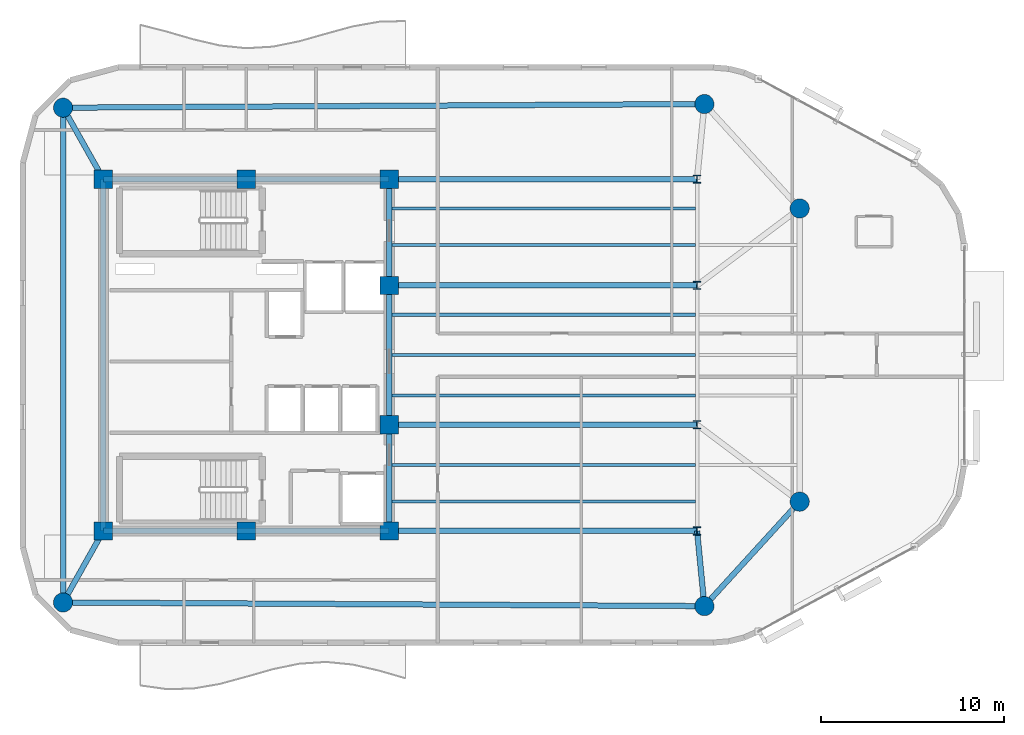
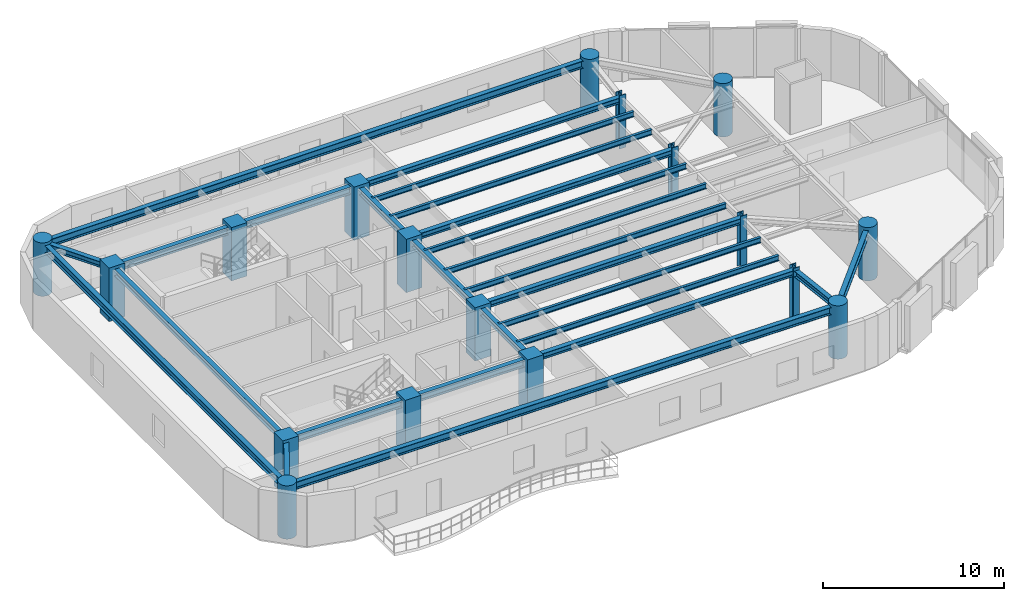
# One storey, part 1 of 13: 24 beams, 18 columns.
"""IFC4 building model written with IfcOpenShell, lengths in metres."""

from ifc_helpers import new_model, si_unit, direction, frame, origin, origin_2d, place, context, subcontext, project, spatial, rectangle, circle, i_section, extrude, material, material_profile, profile_set, type_object, element, save


model = new_model("IFC4")

# Units and contexts
model_context = context("Model", 3, precision=1e-05, world=origin(), true_north=direction((0.0, 1.0)))
body_context = subcontext(model_context, "Body", "Model", "MODEL_VIEW")
ifc_project = project(units=[si_unit("LENGTHUNIT", "METRE"), si_unit("AREAUNIT", "SQUARE_METRE"), si_unit("VOLUMEUNIT", "CUBIC_METRE"), si_unit("PLANEANGLEUNIT", "RADIAN"), si_unit("MASSUNIT", "GRAM", prefix="KILO")], contexts=[model_context])

# Site, building, storey
site_placement = place(None, origin())
site = spatial("IfcSite", under=ifc_project, at=site_placement, CompositionType="ELEMENT")
building_placement = place(site_placement, origin())
building = spatial("IfcBuilding", under=site, at=building_placement, Name="An Khanh Terracotta Commons", CompositionType="ELEMENT")
storey_placement = place(building_placement, frame((0.0, 0.0, 212.10009765625)))
storey = spatial("IfcBuildingStorey", under=building, at=storey_placement, Name="L55", CompositionType="ELEMENT", Elevation=212.10009765625)

# Columns
ifc_material_1 = material(Name="Concrete C60/75", Category="concrete")
ifc_material_profile_1 = material_profile(ifc_material_1, circle(Radius=0.52490234375, at=origin_2d()), Name="CFST1050")
ifc_profile_set_1 = profile_set([ifc_material_profile_1], Name="Concrete C60/75")
column_type_1 = type_object("IfcColumnType", Name="COL-CFST1050", PredefinedType="COLUMN", material=ifc_profile_set_1)
for number, where, z_axis, x_axis, name in (
    (1, (19.39990234375, 10.5, 0.0), (0.0, 0.0, 1.0), (1.0, 0.0, 0.0), "L55 Perimeter CFST Mega-Column MC-01"),
    (2, (54.39990234375, 10.300048828125, 0.0), (0.0, 0.0, 1.0), (1.0, 0.0, 0.0), "L55 Perimeter CFST Mega-Column MC-02"),
    (3, (59.60009765625, 16.0, 0.0), (0.0, 0.0, 1.0), (1.0, 0.0, 0.0), "L55 Perimeter CFST Mega-Column MC-03"),
    (4, (59.60009765625, 32.0, 0.0), (0.0, 0.0, 1.0), (1.0, 0.0, 0.0), "L55 Perimeter CFST Mega-Column MC-04"),
    (5, (54.39990234375, 37.699951171875, 0.0), (0.0, 0.0, 1.0), (1.0, 0.0, 0.0), "L55 Perimeter CFST Mega-Column MC-05"),
    (6, (19.39990234375, 37.5, 0.0), (0.0, 0.0, 1.0), (1.0, 0.0, 0.0), "L55 Perimeter CFST Mega-Column MC-06"),
):
    element("IfcColumn", number, at=place(storey_placement, frame(where, z_axis=z_axis, x_axis=x_axis)), inside=storey, type_object=column_type_1, Name=name, PredefinedType="COLUMN", context=body_context, shape_type="SweptSolid", body=[
        extrude(circle(Radius=0.52490234375, at=origin_2d()), origin(), (0.0, 0.0, 1.0), 3.599853515625),
    ])
ifc_material_2 = material(Name="Steel S460ML", Category="steel")
ifc_material_profile_2 = material_profile(ifc_material_2, i_section(OverallWidth=0.406005859375, OverallDepth=0.43994140625, WebThickness=0.02392578125, FlangeThickness=0.0390625, FilletRadius=0.014892578125, at=origin_2d()), Name="HD400x314")
ifc_profile_set_2 = profile_set([ifc_material_profile_2], Name="Steel S460ML")
column_type_2 = type_object("IfcColumnType", Name="COL-HD400x314", PredefinedType="COLUMN", material=ifc_profile_set_2)
for number, where, z_axis, x_axis, name in (
    (7, (54.0, 14.39990234375, 0.0), (0.0, 0.0, 1.0), (1.0, 0.0, 0.0), "L55 Interior Frame Column TC-01"),
    (8, (54.0, 20.199951171875, 0.0), (0.0, 0.0, 1.0), (1.0, 0.0, 0.0), "L55 Interior Frame Column TC-02"),
    (9, (54.0, 27.800048828125, 0.0), (0.0, 0.0, 1.0), (1.0, 0.0, 0.0), "L55 Interior Frame Column TC-03"),
    (10, (54.0, 33.60009765625, 0.0), (0.0, 0.0, 1.0), (1.0, 0.0, 0.0), "L55 Interior Frame Column TC-04"),
):
    element("IfcColumn", number, at=place(storey_placement, frame(where, z_axis=z_axis, x_axis=x_axis)), inside=storey, type_object=column_type_2, Name=name, PredefinedType="COLUMN", context=body_context, shape_type="SweptSolid", body=[
        extrude(i_section(OverallWidth=0.406005859375, OverallDepth=0.43994140625, WebThickness=0.02392578125, FlangeThickness=0.0390625, FilletRadius=0.014892578125, at=origin_2d()), origin(), (0.0, 0.0, 1.0), 3.599853515625),
    ])
ifc_material_profile_3 = material_profile(ifc_material_1, rectangle(XDim=1.0, YDim=1.0, at=origin_2d()), Name="RC1000x1000")
ifc_profile_set_3 = profile_set([ifc_material_profile_3], Name="Concrete C60/75")
column_type_3 = type_object("IfcColumnType", Name="COL-RC1000x1000", PredefinedType="COLUMN", material=ifc_profile_set_3)
for number, where, z_axis, x_axis, name in (
    (11, (21.60009765625, 14.39990234375, 0.0), (0.0, 0.0, 1.0), (1.0, 0.0, 0.0), "L55 Core Boundary Column CC-01"),
    (12, (29.39990234375, 14.39990234375, 0.0), (0.0, 0.0, 1.0), (1.0, 0.0, 0.0), "L55 Core Boundary Column CC-02"),
    (13, (37.199951171875, 14.39990234375, 0.0), (0.0, 0.0, 1.0), (1.0, 0.0, 0.0), "L55 Core Boundary Column CC-03"),
    (14, (37.199951171875, 20.199951171875, 0.0), (0.0, 0.0, 1.0), (1.0, 0.0, 0.0), "L55 Core Boundary Column CC-04"),
    (15, (37.199951171875, 27.800048828125, 0.0), (0.0, 0.0, 1.0), (1.0, 0.0, 0.0), "L55 Core Boundary Column CC-05"),
    (16, (37.199951171875, 33.60009765625, 0.0), (0.0, 0.0, 1.0), (1.0, 0.0, 0.0), "L55 Core Boundary Column CC-06"),
    (17, (29.39990234375, 33.60009765625, 0.0), (0.0, 0.0, 1.0), (1.0, 0.0, 0.0), "L55 Core Boundary Column CC-07"),
    (18, (21.60009765625, 33.60009765625, 0.0), (0.0, 0.0, 1.0), (1.0, 0.0, 0.0), "L55 Core Boundary Column CC-08"),
):
    element("IfcColumn", number, at=place(storey_placement, frame(where, z_axis=z_axis, x_axis=x_axis)), inside=storey, type_object=column_type_3, Name=name, PredefinedType="COLUMN", context=body_context, shape_type="SweptSolid", body=[
        extrude(rectangle(XDim=1.0, YDim=1.0, at=origin_2d()), origin(), (0.0, 0.0, 1.0), 3.599853515625),
    ])

# Beams
ifc_material_3 = material(Name="Steel S355J2", Category="steel")
ifc_material_profile_4 = material_profile(ifc_material_3, i_section(OverallWidth=0.300048828125, OverallDepth=0.39990234375, WebThickness=0.013427734375, FlangeThickness=0.02392578125, FilletRadius=0.027099609375, at=origin_2d()), Name="HEB400")
ifc_profile_set_4 = profile_set([ifc_material_profile_4], Name="Steel S355J2")
beam_type_1 = type_object("IfcBeamType", Name="BM-HEB400", PredefinedType="BEAM", material=ifc_profile_set_4)
for number, where, z_axis, x_axis, name in (
    (19, (37.199951171875, 14.39990234375, 3.199951171875), (1.0, 0.0, 0.0), (0.0, 1.0, 0.0), "L55 East Primary Floor Girder 1"),
    (20, (37.199951171875, 20.199951171875, 3.199951171875), (1.0, 0.0, 0.0), (0.0, 1.0, 0.0), "L55 East Primary Floor Girder 2"),
    (21, (37.199951171875, 27.800048828125, 3.199951171875), (1.0, 0.0, 0.0), (0.0, 1.0, 0.0), "L55 East Primary Floor Girder 3"),
    (22, (37.199951171875, 33.60009765625, 3.199951171875), (1.0, 0.0, 0.0), (0.0, 1.0, 0.0), "L55 East Primary Floor Girder 4"),
):
    element("IfcBeam", number, at=place(storey_placement, frame(where, z_axis=z_axis, x_axis=x_axis)), inside=storey, type_object=beam_type_1, Name=name, PredefinedType="BEAM", context=body_context, shape_type="SweptSolid", body=[
        extrude(i_section(OverallWidth=0.300048828125, OverallDepth=0.39990234375, WebThickness=0.013427734375, FlangeThickness=0.02392578125, FilletRadius=0.027099609375, at=origin_2d()), origin(), (0.0, 0.0, 1.0), 16.800048828125),
    ])
beam_1_placement = place(storey_placement, frame((19.39990234375, 10.5, 3.199951171875), z_axis=(0.491363608436, 0.870954536302, 0.0), x_axis=(-0.870954536302, 0.491363608436, 0.0)))
element("IfcBeam", 23, at=beam_1_placement, inside=storey, type_object=beam_type_1, Name="L55 Mega-Column Tie Girder 1", PredefinedType="BEAM", context=body_context, shape_type="SweptSolid", body=[
    extrude(i_section(OverallWidth=0.300048828125, OverallDepth=0.39990234375, WebThickness=0.013427734375, FlangeThickness=0.02392578125, FilletRadius=0.027099609375, at=origin_2d()), origin(), (0.0, 0.0, 1.0), 4.477783203125),
])
beam_2_placement = place(storey_placement, frame((54.39990234375, 10.300048828125, 3.199951171875), z_axis=(-0.097079917443, 0.995276589511, 0.0), x_axis=(-0.995276589511, -0.097079917443, 0.0)))
element("IfcBeam", 24, at=beam_2_placement, inside=storey, type_object=beam_type_1, Name="L55 Mega-Column Tie Girder 2", PredefinedType="BEAM", context=body_context, shape_type="SweptSolid", body=[
    extrude(i_section(OverallWidth=0.300048828125, OverallDepth=0.39990234375, WebThickness=0.013427734375, FlangeThickness=0.02392578125, FilletRadius=0.027099609375, at=origin_2d()), origin(), (0.0, 0.0, 1.0), 4.119384765625),
])
beam_3_placement = place(storey_placement, frame((19.39990234375, 37.5, 3.199951171875), z_axis=(0.491363608436, -0.870954536302, 0.0), x_axis=(0.870954536302, 0.491363608436, 0.0)))
element("IfcBeam", 25, at=beam_3_placement, inside=storey, type_object=beam_type_1, Name="L55 Mega-Column Tie Girder 6", PredefinedType="BEAM", context=body_context, shape_type="SweptSolid", body=[
    extrude(i_section(OverallWidth=0.300048828125, OverallDepth=0.39990234375, WebThickness=0.013427734375, FlangeThickness=0.02392578125, FilletRadius=0.027099609375, at=origin_2d()), origin(), (0.0, 0.0, 1.0), 4.477783203125),
])
ifc_material_profile_5 = material_profile(ifc_material_3, i_section(OverallWidth=0.300048828125, OverallDepth=0.449951171875, WebThickness=0.013916015625, FlangeThickness=0.02587890625, FilletRadius=0.027099609375, at=origin_2d()), Name="HEB450")
ifc_profile_set_5 = profile_set([ifc_material_profile_5], Name="Steel S355J2")
beam_type_2 = type_object("IfcBeamType", Name="BM-HEB450", PredefinedType="BEAM", material=ifc_profile_set_5)
beam_4_placement = place(storey_placement, frame((37.199951171875, 14.39990234375, 3.1748046875), z_axis=(0.0, 1.0, 0.0), x_axis=(-1.0, 0.0, 0.0)))
element("IfcBeam", 26, at=beam_4_placement, inside=storey, type_object=beam_type_2, Name="L55 Core East Coupling Girder 1", PredefinedType="BEAM", context=body_context, shape_type="SweptSolid", body=[
    extrude(i_section(OverallWidth=0.300048828125, OverallDepth=0.449951171875, WebThickness=0.013916015625, FlangeThickness=0.02587890625, FilletRadius=0.027099609375, at=origin_2d()), origin(), (0.0, 0.0, 1.0), 5.800048828125),
])
beam_5_placement = place(storey_placement, frame((37.199951171875, 20.199951171875, 3.1748046875), z_axis=(0.0, 1.0, 0.0), x_axis=(-1.0, 0.0, 0.0)))
element("IfcBeam", 27, at=beam_5_placement, inside=storey, type_object=beam_type_2, Name="L55 Core East Coupling Girder 2", PredefinedType="BEAM", context=body_context, shape_type="SweptSolid", body=[
    extrude(i_section(OverallWidth=0.300048828125, OverallDepth=0.449951171875, WebThickness=0.013916015625, FlangeThickness=0.02587890625, FilletRadius=0.027099609375, at=origin_2d()), origin(), (0.0, 0.0, 1.0), 7.60009765625),
])
beam_6_placement = place(storey_placement, frame((37.199951171875, 27.800048828125, 3.1748046875), z_axis=(0.0, 1.0, 0.0), x_axis=(-1.0, 0.0, 0.0)))
element("IfcBeam", 28, at=beam_6_placement, inside=storey, type_object=beam_type_2, Name="L55 Core East Coupling Girder 3", PredefinedType="BEAM", context=body_context, shape_type="SweptSolid", body=[
    extrude(i_section(OverallWidth=0.300048828125, OverallDepth=0.449951171875, WebThickness=0.013916015625, FlangeThickness=0.02587890625, FilletRadius=0.027099609375, at=origin_2d()), origin(), (0.0, 0.0, 1.0), 5.800048828125),
])
beam_7_placement = place(storey_placement, frame((21.60009765625, 14.39990234375, 3.1748046875), z_axis=(0.0, 1.0, 0.0), x_axis=(-1.0, 0.0, 0.0)))
element("IfcBeam", 29, at=beam_7_placement, inside=storey, type_object=beam_type_2, Name="L55 Core West Coupling Girder", PredefinedType="BEAM", context=body_context, shape_type="SweptSolid", body=[
    extrude(i_section(OverallWidth=0.300048828125, OverallDepth=0.449951171875, WebThickness=0.013916015625, FlangeThickness=0.02587890625, FilletRadius=0.027099609375, at=origin_2d()), origin(), (0.0, 0.0, 1.0), 19.2001953125),
])
ifc_material_profile_6 = material_profile(ifc_material_3, i_section(OverallWidth=0.300048828125, OverallDepth=0.5, WebThickness=0.014404296875, FlangeThickness=0.028076171875, FilletRadius=0.027099609375, at=origin_2d()), Name="HEB500")
ifc_profile_set_6 = profile_set([ifc_material_profile_6], Name="Steel S355J2")
beam_type_3 = type_object("IfcBeamType", Name="BM-HEB500", PredefinedType="BEAM", material=ifc_profile_set_6)
for number, where, z_axis, x_axis, name in (
    (30, (21.60009765625, 14.39990234375, 3.14990234375), (1.0, 0.0, 0.0), (0.0, 1.0, 0.0), "L55 Core South Coupling Girder"),
    (31, (21.60009765625, 33.60009765625, 3.14990234375), (1.0, 0.0, 0.0), (0.0, 1.0, 0.0), "L55 Core North Coupling Girder"),
):
    element("IfcBeam", number, at=place(storey_placement, frame(where, z_axis=z_axis, x_axis=x_axis)), inside=storey, type_object=beam_type_3, Name=name, PredefinedType="BEAM", context=body_context, shape_type="SweptSolid", body=[
        extrude(i_section(OverallWidth=0.300048828125, OverallDepth=0.5, WebThickness=0.014404296875, FlangeThickness=0.028076171875, FilletRadius=0.027099609375, at=origin_2d()), origin(), (0.0, 0.0, 1.0), 15.599853515625),
    ])
beam_8_placement = place(storey_placement, frame((19.39990234375, 10.5, 3.14990234375), z_axis=(0.99998368184, -0.005712797401, 0.0), x_axis=(0.005712797401, 0.99998368184, 0.0)))
element("IfcBeam", 32, at=beam_8_placement, inside=storey, type_object=beam_type_3, Name="L55 Perimeter Ring Spandrel 1", PredefinedType="BEAM", context=body_context, shape_type="SweptSolid", body=[
    extrude(i_section(OverallWidth=0.300048828125, OverallDepth=0.5, WebThickness=0.014404296875, FlangeThickness=0.028076171875, FilletRadius=0.027099609375, at=origin_2d()), origin(), (0.0, 0.0, 1.0), 35.00048828125),
])
beam_9_placement = place(storey_placement, frame((54.39990234375, 10.300048828125, 3.14990234375), z_axis=(0.673978953902, 0.738750546326, 0.0), x_axis=(-0.738750546326, 0.673978953902, 0.0)))
element("IfcBeam", 33, at=beam_9_placement, inside=storey, type_object=beam_type_3, Name="L55 Perimeter Ring Spandrel 2", PredefinedType="BEAM", context=body_context, shape_type="SweptSolid", body=[
    extrude(i_section(OverallWidth=0.300048828125, OverallDepth=0.5, WebThickness=0.014404296875, FlangeThickness=0.028076171875, FilletRadius=0.027099609375, at=origin_2d()), origin(), (0.0, 0.0, 1.0), 7.715576171875),
])
beam_10_placement = place(storey_placement, frame((54.39990234375, 37.699951171875, 3.14990234375), z_axis=(-0.99998368184, -0.005712797401, 0.0), x_axis=(0.005712797401, -0.99998368184, 0.0)))
element("IfcBeam", 34, at=beam_10_placement, inside=storey, type_object=beam_type_3, Name="L55 Perimeter Ring Spandrel 5", PredefinedType="BEAM", context=body_context, shape_type="SweptSolid", body=[
    extrude(i_section(OverallWidth=0.300048828125, OverallDepth=0.5, WebThickness=0.014404296875, FlangeThickness=0.028076171875, FilletRadius=0.027099609375, at=origin_2d()), origin(), (0.0, 0.0, 1.0), 35.00048828125),
])
beam_11_placement = place(storey_placement, frame((19.39990234375, 37.5, 3.14990234375), z_axis=(0.0, -1.0, 0.0), x_axis=(1.0, 0.0, 0.0)))
element("IfcBeam", 35, at=beam_11_placement, inside=storey, type_object=beam_type_3, Name="L55 Perimeter Ring Spandrel 6", PredefinedType="BEAM", context=body_context, shape_type="SweptSolid", body=[
    extrude(i_section(OverallWidth=0.300048828125, OverallDepth=0.5, WebThickness=0.014404296875, FlangeThickness=0.028076171875, FilletRadius=0.027099609375, at=origin_2d()), origin(), (0.0, 0.0, 1.0), 27.0),
])
ifc_material_profile_7 = material_profile(ifc_material_3, i_section(OverallWidth=0.169921875, OverallDepth=0.360107421875, WebThickness=0.008056640625, FlangeThickness=0.0126953125, FilletRadius=0.01806640625, at=origin_2d()), Name="IPE360")
ifc_profile_set_7 = profile_set([ifc_material_profile_7], Name="Steel S355J2")
beam_type_4 = type_object("IfcBeamType", Name="BM-IPE360", PredefinedType="JOIST", material=ifc_profile_set_7)
for number, where, z_axis, x_axis, name in (
    (36, (37.199951171875, 16.0, 3.219970703125), (1.0, 0.0, 0.0), (0.0, 1.0, 0.0), "L55 Inboard Composite Joist 1"),
    (37, (37.199951171875, 18.0, 3.219970703125), (1.0, 0.0, 0.0), (0.0, 1.0, 0.0), "L55 Inboard Composite Joist 2"),
    (38, (37.199951171875, 21.800048828125, 3.219970703125), (1.0, 0.0, 0.0), (0.0, 1.0, 0.0), "L55 Inboard Composite Joist 3"),
    (39, (37.199951171875, 24.0, 3.219970703125), (1.0, 0.0, 0.0), (0.0, 1.0, 0.0), "L55 Inboard Composite Joist 4"),
    (40, (37.199951171875, 26.199951171875, 3.219970703125), (1.0, 0.0, 0.0), (0.0, 1.0, 0.0), "L55 Inboard Composite Joist 5"),
    (41, (37.199951171875, 30.0, 3.219970703125), (1.0, 0.0, 0.0), (0.0, 1.0, 0.0), "L55 Inboard Composite Joist 6"),
    (42, (37.199951171875, 32.0, 3.219970703125), (1.0, 0.0, 0.0), (0.0, 1.0, 0.0), "L55 Inboard Composite Joist 7"),
):
    element("IfcBeam", number, at=place(storey_placement, frame(where, z_axis=z_axis, x_axis=x_axis)), inside=storey, type_object=beam_type_4, Name=name, PredefinedType="JOIST", context=body_context, shape_type="SweptSolid", body=[
        extrude(i_section(OverallWidth=0.169921875, OverallDepth=0.360107421875, WebThickness=0.008056640625, FlangeThickness=0.0126953125, FilletRadius=0.01806640625, at=origin_2d()), origin(), (0.0, 0.0, 1.0), 16.705078125),
    ])

save(model, "model.ifc")
